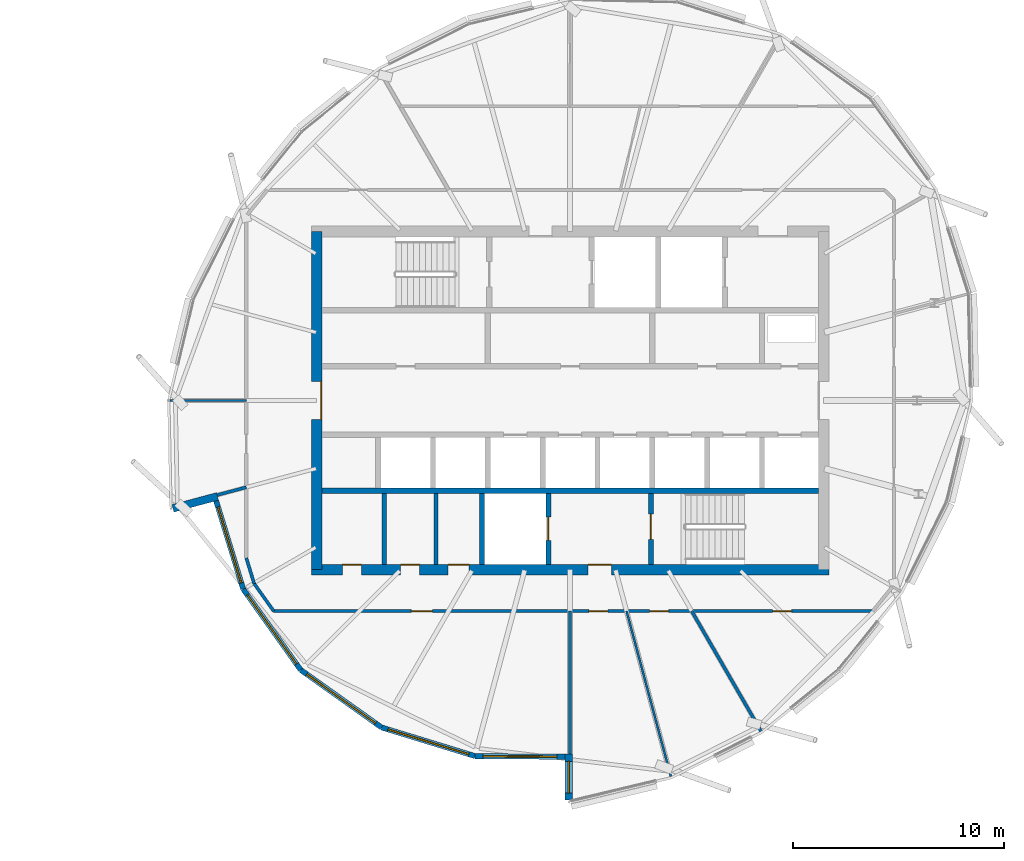
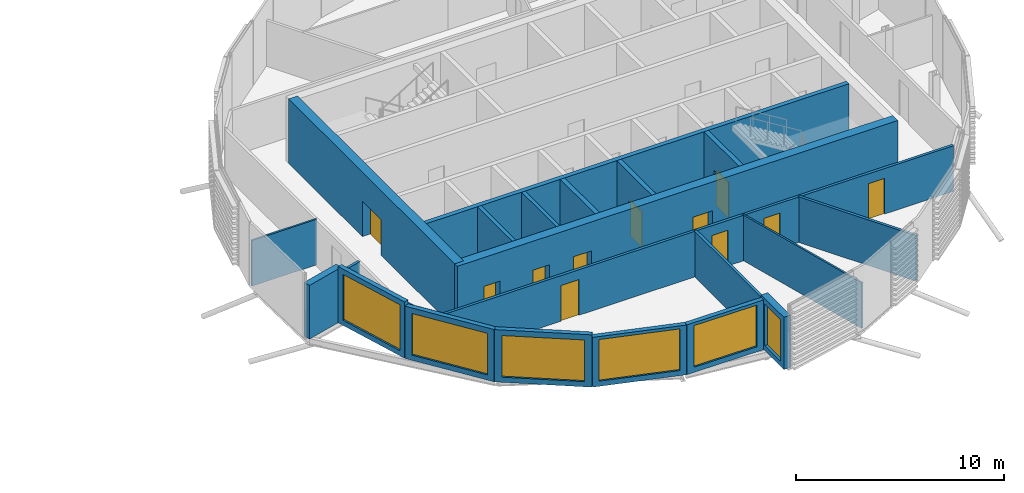
# One storey, part 19 of 34: 23 walls, 11 doors, 6 windows, 17 openings.
"""IFC4 building model written with IfcOpenShell, lengths in metres."""

from ifc_helpers import new_model, si_unit, direction, frame, frame_2d, origin, place, context, subcontext, project, spatial, rectangle, extrude, material, layer, layer_set, type_object, element, fill, save


model = new_model("IFC4")

# Units and contexts
model_context = context("Model", 3, precision=1e-05, world=origin(), true_north=direction((0.0, 1.0)))
body_context = subcontext(model_context, "Body", "Model", "MODEL_VIEW")
ifc_project = project(units=[si_unit("LENGTHUNIT", "METRE"), si_unit("AREAUNIT", "SQUARE_METRE"), si_unit("VOLUMEUNIT", "CUBIC_METRE"), si_unit("PLANEANGLEUNIT", "RADIAN"), si_unit("MASSUNIT", "GRAM", prefix="KILO")], contexts=[model_context])

# Site, building, storey
site_placement = place(None, origin())
site = spatial("IfcSite", under=ifc_project, at=site_placement, CompositionType="ELEMENT")
building_placement = place(site_placement, origin())
building = spatial("IfcBuilding", under=site, at=building_placement, Name="Rimbun Link Towers", CompositionType="ELEMENT")
storey_placement = place(building_placement, frame((0.0, 0.0, 252.300048828125)))
storey = spatial("IfcBuildingStorey", under=building, at=storey_placement, Name="L62", CompositionType="ELEMENT", Elevation=252.300048828125)

# Wall, opening, window
ifc_material_1 = material(Name="Dark enamelled glass spandrel on insulated aluminium backpan", Category="aluminium")
ifc_layer_1 = layer(ifc_material_1, 0.25)
ifc_layer_set_1 = layer_set([ifc_layer_1], Name="CS dark enamelled spandrel wall 250")
wall_type_1 = type_object("IfcWallType", Name="CS dark enamelled spandrel wall 250", PredefinedType="STANDARD", material=ifc_layer_set_1)
wall_1_placement = place(storey_placement, frame((16.2744140625, -8.92529296875, 0.0), z_axis=(0.0, 0.0, 1.0), x_axis=(-0.292962457371, 0.956123945193, 0.0)))
wall_1 = element("IfcWall", 1, at=wall_1_placement, inside=storey, type_object=wall_type_1, Name="Crease spandrel wall", PredefinedType="STANDARD", context=body_context, shape_type="SweptSolid", body=[
    extrude(rectangle(XDim=4.368408203125, YDim=0.25, at=frame_2d((2.18408203125, 0.0))), origin(), (0.0, 0.0, 1.0), 3.306640625),
])
opening_1_placement = place(wall_1_placement, frame((0.309326171875, 0.0, 0.300048828125)))
opening_1 = element("IfcOpeningElement", 2, at=opening_1_placement, cuts=wall_1, Name="Opening WR38H270", PredefinedType="OPENING", context=body_context, shape_type="SweptSolid", body=[
    extrude(rectangle(XDim=3.75, YDim=2.699951171875, at=frame_2d((1.875, 1.35009765625))), frame((0.0, 0.135009765625, 0.0), z_axis=(0.0, -1.0, 0.0), x_axis=(1.0, 0.0, 0.0)), (0.0, 0.0, 1.0), 0.27001953125),
])
ifc_material_2 = material(Name="Aluminium framed fixed window, dark tinted low-e glass", Category="aluminium")
window_type_1 = type_object("IfcWindowType", Name="WR ribbon window 3750X2700", PartitioningType="SINGLE_PANEL", PredefinedType="WINDOW", material=ifc_material_2)
window_1_placement = place(opening_1_placement, origin())
window_1 = element("IfcWindow", 3, at=window_1_placement, inside=storey, type_object=window_type_1, Name="Crease ribbon window", OverallHeight=2.699951171875, OverallWidth=3.75, PartitioningType="SINGLE_PANEL", PredefinedType="WINDOW", context=body_context, shape_type="SweptSolid", body=[
    extrude(rectangle(XDim=3.75, YDim=2.699951171875, at=frame_2d((1.875, 1.35009765625))), frame((0.0, 0.030029296875, 0.0), z_axis=(0.0, -1.0, 0.0), x_axis=(1.0, 0.0, 0.0)), (0.0, 0.0, 1.0), 0.06005859375),
])
fill(opening_1, window_1)

wall_2_placement = place(storey_placement, frame((18.99755859375, -12.75244140625, 0.0), z_axis=(0.0, 0.0, 1.0), x_axis=(-0.579752367254, 0.814792729879, 0.0)))
wall_2 = element("IfcWall", 4, at=wall_2_placement, inside=storey, type_object=wall_type_1, Name="Crease spandrel wall", PredefinedType="STANDARD", context=body_context, shape_type="SweptSolid", body=[
    extrude(rectangle(XDim=4.697021484375, YDim=0.25, at=frame_2d((2.3486328125, 0.0))), origin(), (0.0, 0.0, 1.0), 3.076904296875),
])
opening_2_placement = place(wall_2_placement, frame((0.3486328125, 0.0, 0.300048828125)))
opening_2 = element("IfcOpeningElement", 5, at=opening_2_placement, cuts=wall_2, Name="Opening WR40H245", PredefinedType="OPENING", context=body_context, shape_type="SweptSolid", body=[
    extrude(rectangle(XDim=4.0, YDim=2.449951171875, at=frame_2d((2.0, 1.22509765625))), frame((0.0, 0.135009765625, 0.0), z_axis=(0.0, -1.0, 0.0), x_axis=(1.0, 0.0, 0.0)), (0.0, 0.0, 1.0), 0.27001953125),
])
ifc_material_3 = material(Name="Aluminium framed fixed window, dark tinted low-e glass", Category="aluminium")
window_type_2 = type_object("IfcWindowType", Name="WR ribbon window 4000X2450", PartitioningType="SINGLE_PANEL", PredefinedType="WINDOW", material=ifc_material_3)
window_2_placement = place(opening_2_placement, origin())
window_2 = element("IfcWindow", 6, at=window_2_placement, inside=storey, type_object=window_type_2, Name="Crease ribbon window", OverallHeight=2.449951171875, OverallWidth=4.0, PartitioningType="SINGLE_PANEL", PredefinedType="WINDOW", context=body_context, shape_type="SweptSolid", body=[
    extrude(rectangle(XDim=4.0, YDim=2.449951171875, at=frame_2d((2.0, 1.22509765625))), frame((0.0, 0.030029296875, 0.0), z_axis=(0.0, -1.0, 0.0), x_axis=(1.0, 0.0, 0.0)), (0.0, 0.0, 1.0), 0.06005859375),
])
fill(opening_2, window_2)

wall_3_placement = place(storey_placement, frame((22.82470703125, -15.4755859375, 0.0), z_axis=(0.0, 0.0, 1.0), x_axis=(-0.814792729879, 0.579752367254, 0.0)))
wall_3 = element("IfcWall", 7, at=wall_3_placement, inside=storey, type_object=wall_type_1, Name="Crease spandrel wall", PredefinedType="STANDARD", context=body_context, shape_type="SweptSolid", body=[
    extrude(rectangle(XDim=4.697021484375, YDim=0.25, at=frame_2d((2.3486328125, 0.0))), origin(), (0.0, 0.0, 1.0), 3.076904296875),
])
opening_3_placement = place(wall_3_placement, frame((0.3486328125, 0.0, 0.300048828125)))
opening_3 = element("IfcOpeningElement", 8, at=opening_3_placement, cuts=wall_3, Name="Opening WR40H245", PredefinedType="OPENING", context=body_context, shape_type="SweptSolid", body=[
    extrude(rectangle(XDim=4.0, YDim=2.449951171875, at=frame_2d((2.0, 1.22509765625))), frame((0.0, 0.135009765625, 0.0), z_axis=(0.0, -1.0, 0.0), x_axis=(1.0, 0.0, 0.0)), (0.0, 0.0, 1.0), 0.27001953125),
])
window_3_placement = place(opening_3_placement, origin())
window_3 = element("IfcWindow", 9, at=window_3_placement, inside=storey, type_object=window_type_2, Name="Crease ribbon window", OverallHeight=2.449951171875, OverallWidth=4.0, PartitioningType="SINGLE_PANEL", PredefinedType="WINDOW", context=body_context, shape_type="SweptSolid", body=[
    extrude(rectangle(XDim=4.0, YDim=2.449951171875, at=frame_2d((2.0, 1.22509765625))), frame((0.0, 0.030029296875, 0.0), z_axis=(0.0, -1.0, 0.0), x_axis=(1.0, 0.0, 0.0)), (0.0, 0.0, 1.0), 0.06005859375),
])
fill(opening_3, window_3)

wall_4_placement = place(storey_placement, frame((27.25390625, -16.832763671875, 0.0), z_axis=(0.0, 0.0, 1.0), x_axis=(-0.956121349586, 0.292970928362, 0.0)))
wall_4 = element("IfcWall", 10, at=wall_4_placement, inside=storey, type_object=wall_type_1, Name="Crease spandrel wall", PredefinedType="STANDARD", context=body_context, shape_type="SweptSolid", body=[
    extrude(rectangle(XDim=4.632568359375, YDim=0.25, at=frame_2d((2.31640625, 0.0))), origin(), (0.0, 0.0, 1.0), 2.926513671875),
])
opening_4_placement = place(wall_4_placement, frame((0.316162109375, 0.0, 0.300048828125)))
opening_4 = element("IfcOpeningElement", 11, at=opening_4_placement, cuts=wall_4, Name="Opening WR40H245", PredefinedType="OPENING", context=body_context, shape_type="SweptSolid", body=[
    extrude(rectangle(XDim=4.0, YDim=2.449951171875, at=frame_2d((2.0, 1.22509765625))), frame((0.0, 0.135009765625, 0.0), z_axis=(0.0, -1.0, 0.0), x_axis=(1.0, 0.0, 0.0)), (0.0, 0.0, 1.0), 0.27001953125),
])
window_4_placement = place(opening_4_placement, origin())
window_4 = element("IfcWindow", 12, at=window_4_placement, inside=storey, type_object=window_type_2, Name="Crease ribbon window", OverallHeight=2.449951171875, OverallWidth=4.0, PartitioningType="SINGLE_PANEL", PredefinedType="WINDOW", context=body_context, shape_type="SweptSolid", body=[
    extrude(rectangle(XDim=4.0, YDim=2.449951171875, at=frame_2d((2.0, 1.22509765625))), frame((0.0, 0.030029296875, 0.0), z_axis=(0.0, -1.0, 0.0), x_axis=(1.0, 0.0, 0.0)), (0.0, 0.0, 1.0), 0.06005859375),
])
fill(opening_4, window_4)

wall_5_placement = place(storey_placement, frame((31.5, -16.862548828125, 0.0), z_axis=(0.0, 0.0, 1.0), x_axis=(-0.999975397764, 0.007014546833, 0.0)))
wall_5 = element("IfcWall", 13, at=wall_5_placement, inside=storey, type_object=wall_type_1, Name="Crease spandrel wall", PredefinedType="STANDARD", context=body_context, shape_type="SweptSolid", body=[
    extrude(rectangle(XDim=4.24609375, YDim=0.25, at=frame_2d((2.123046875, 0.0))), origin(), (0.0, 0.0, 1.0), 2.926513671875),
])
opening_5_placement = place(wall_5_placement, frame((0.373046875, 0.0, 0.300048828125)))
opening_5 = element("IfcOpeningElement", 14, at=opening_5_placement, cuts=wall_5, Name="Opening WR35H245", PredefinedType="OPENING", context=body_context, shape_type="SweptSolid", body=[
    extrude(rectangle(XDim=3.5, YDim=2.449951171875, at=frame_2d((1.75, 1.22509765625))), frame((0.0, 0.135009765625, 0.0), z_axis=(0.0, -1.0, 0.0), x_axis=(1.0, 0.0, 0.0)), (0.0, 0.0, 1.0), 0.27001953125),
])
ifc_material_4 = material(Name="Aluminium framed fixed window, dark tinted low-e glass", Category="aluminium")
window_type_3 = type_object("IfcWindowType", Name="WR ribbon window 3500X2450", PartitioningType="SINGLE_PANEL", PredefinedType="WINDOW", material=ifc_material_4)
window_5_placement = place(opening_5_placement, origin())
window_5 = element("IfcWindow", 15, at=window_5_placement, inside=storey, type_object=window_type_3, Name="Crease ribbon window", OverallHeight=2.449951171875, OverallWidth=3.5, PartitioningType="SINGLE_PANEL", PredefinedType="WINDOW", context=body_context, shape_type="SweptSolid", body=[
    extrude(rectangle(XDim=3.5, YDim=2.449951171875, at=frame_2d((1.75, 1.22509765625))), frame((0.0, 0.030029296875, 0.0), z_axis=(0.0, -1.0, 0.0), x_axis=(1.0, 0.0, 0.0)), (0.0, 0.0, 1.0), 0.06005859375),
])
fill(opening_5, window_5)

# Wall
ifc_material_5 = material(Name="Dark enamelled glass spandrel on insulated aluminium backpan", Category="aluminium")
ifc_layer_2 = layer(ifc_material_5, 0.3701171875)
ifc_layer_set_2 = layer_set([ifc_layer_2], Name="CS dark enamelled spandrel wall 370")
wall_type_2 = type_object("IfcWallType", Name="CS dark enamelled spandrel wall 370", PredefinedType="STANDARD", material=ifc_layer_set_2)
wall_6_placement = place(storey_placement, frame((15.058837890625, -4.539794921875, 0.0), z_axis=(0.0, 0.0, 1.0), x_axis=(-0.96592755611, -0.258812589237, 0.0)))
element("IfcWall", 16, at=wall_6_placement, inside=storey, type_object=wall_type_2, Name="Crease spandrel wall", PredefinedType="STANDARD", context=body_context, shape_type="SweptSolid", body=[
    extrude(rectangle(XDim=2.179931640625, YDim=0.3701171875, at=frame_2d((1.08984375, 0.0))), origin(), (0.0, 0.0, 1.0), 3.156494140625),
])

# Wall, opening, window
wall_7_placement = place(storey_placement, frame((31.68505859375, -18.919189453125, 0.0), z_axis=(0.0, 0.0, 1.0), x_axis=(0.0, 1.0, 0.0)))
wall_7 = element("IfcWall", 17, at=wall_7_placement, inside=storey, type_object=wall_type_2, Name="Crease spandrel wall", PredefinedType="STANDARD", context=body_context, shape_type="SweptSolid", body=[
    extrude(rectangle(XDim=2.179931640625, YDim=0.3701171875, at=frame_2d((1.08984375, 0.0))), origin(), (0.0, 0.0, 1.0), 3.076904296875),
])
opening_6_placement = place(wall_7_placement, frame((0.340087890625, 0.0, 0.300048828125)))
opening_6 = element("IfcOpeningElement", 18, at=opening_6_placement, cuts=wall_7, Name="Opening WR15H245", PredefinedType="OPENING", context=body_context, shape_type="SweptSolid", body=[
    extrude(rectangle(XDim=1.5, YDim=2.449951171875, at=frame_2d((0.75, 1.22509765625))), frame((0.0, 0.195068359375, 0.0), z_axis=(0.0, -1.0, 0.0), x_axis=(1.0, 0.0, 0.0)), (0.0, 0.0, 1.0), 0.39013671875),
])
ifc_material_6 = material(Name="Aluminium framed fixed window, dark tinted low-e glass", Category="aluminium")
window_type_4 = type_object("IfcWindowType", Name="WR ribbon window 1500X2450", PartitioningType="SINGLE_PANEL", PredefinedType="WINDOW", material=ifc_material_6)
window_6_placement = place(opening_6_placement, origin())
window_6 = element("IfcWindow", 19, at=window_6_placement, inside=storey, type_object=window_type_4, Name="Crease ribbon window", OverallHeight=2.449951171875, OverallWidth=1.5, PartitioningType="SINGLE_PANEL", PredefinedType="WINDOW", context=body_context, shape_type="SweptSolid", body=[
    extrude(rectangle(XDim=1.5, YDim=2.449951171875, at=frame_2d((0.75, 1.22509765625))), frame((0.0, 0.030029296875, 0.0), z_axis=(0.0, -1.0, 0.0), x_axis=(1.0, 0.0, 0.0)), (0.0, 0.0, 1.0), 0.06005859375),
])
fill(opening_6, window_6)

# Walls
ifc_material_7 = material(Name="Masonry blockwork", Category="masonry")
ifc_layer_3 = layer(ifc_material_7, 0.199951171875)
ifc_layer_set_3 = layer_set([ifc_layer_3], Name="Core partition 200")
wall_type_3 = type_object("IfcWallType", Name="Core partition 200", PredefinedType="PARTITIONING", material=ifc_layer_set_3)
for number, where, z_axis, x_axis, name in (
    (20, (22.949951171875, -4.39990234375, 0.0), (0.0, 0.0, 1.0), (0.0, -1.0, 0.0), "L62 T2 core wall C1"),
    (21, (25.39990234375, -4.39990234375, 0.0), (0.0, 0.0, 1.0), (0.0, -1.0, 0.0), "L62 T2 core wall C2"),
):
    element("IfcWall", number, at=place(storey_placement, frame(where, z_axis=z_axis, x_axis=x_axis)), inside=storey, type_object=wall_type_3, Name=name, PredefinedType="PARTITIONING", context=body_context, shape_type="SweptSolid", body=[
        extrude(rectangle(XDim=3.35009765625, YDim=0.199951171875, at=frame_2d((1.675048828125, 0.0))), origin(), (0.0, 0.0, 1.0), 3.800048828125),
    ])

# Wall, openings, doors
ifc_material_8 = material(Name="Concrete C60/75", Category="concrete")
ifc_layer_4 = layer(ifc_material_8, 0.5)
ifc_layer_set_4 = layer_set([ifc_layer_4], Name="Core shear wall 500")
wall_type_4 = type_object("IfcWallType", Name="Core shear wall 500", PredefinedType="SHEAR", material=ifc_layer_set_4)
wall_8_placement = place(storey_placement, frame((19.5, -8.0, 0.0), z_axis=(0.0, 0.0, 1.0), x_axis=(1.0, 0.0, 0.0)))
wall_8 = element("IfcWall", 22, at=wall_8_placement, inside=storey, type_object=wall_type_4, Name="L62 T2 core wall S", PredefinedType="SHEAR", context=body_context, shape_type="SweptSolid", body=[
    extrude(rectangle(XDim=24.5, YDim=0.5, at=frame_2d((12.25, 0.0))), origin(), (0.0, 0.0, 1.0), 3.800048828125),
])
opening_7_placement = place(wall_8_placement, frame((13.10009765625, 0.0, 0.0)))
opening_7 = element("IfcOpeningElement", 23, at=opening_7_placement, cuts=wall_8, Name="Opening C2DCF01S", PredefinedType="OPENING", context=body_context, shape_type="SweptSolid", body=[
    extrude(rectangle(XDim=1.10009765625, YDim=2.10009765625, at=frame_2d((0.550048828125, 1.050048828125))), frame((0.0, 0.260009765625, 0.0), z_axis=(0.0, -1.0, 0.0), x_axis=(1.0, 0.0, 0.0)), (0.0, 0.0, 1.0), 0.52001953125),
])
opening_8_placement = place(wall_8_placement, frame((1.47509765625, 0.0, 0.0)))
opening_8 = element("IfcOpeningElement", 24, at=opening_8_placement, cuts=wall_8, Name="Opening C2DWC02S", PredefinedType="OPENING", context=body_context, shape_type="SweptSolid", body=[
    extrude(rectangle(XDim=0.89990234375, YDim=2.10009765625, at=frame_2d((0.449951171875, 1.050048828125))), frame((0.0, 0.260009765625, 0.0), z_axis=(0.0, -1.0, 0.0), x_axis=(1.0, 0.0, 0.0)), (0.0, 0.0, 1.0), 0.52001953125),
])
opening_9_placement = place(wall_8_placement, frame((4.22509765625, 0.0, 0.0)))
opening_9 = element("IfcOpeningElement", 25, at=opening_9_placement, cuts=wall_8, Name="Opening C2DWC03S", PredefinedType="OPENING", context=body_context, shape_type="SweptSolid", body=[
    extrude(rectangle(XDim=0.89990234375, YDim=2.10009765625, at=frame_2d((0.449951171875, 1.050048828125))), frame((0.0, 0.260009765625, 0.0), z_axis=(0.0, -1.0, 0.0), x_axis=(1.0, 0.0, 0.0)), (0.0, 0.0, 1.0), 0.52001953125),
])
opening_10_placement = place(wall_8_placement, frame((6.47509765625, 0.0, 0.0)))
opening_10 = element("IfcOpeningElement", 26, at=opening_10_placement, cuts=wall_8, Name="Opening C2DAW04S", PredefinedType="OPENING", context=body_context, shape_type="SweptSolid", body=[
    extrude(rectangle(XDim=1.0, YDim=2.10009765625, at=frame_2d((0.5, 1.050048828125))), frame((0.0, 0.260009765625, 0.0), z_axis=(0.0, -1.0, 0.0), x_axis=(1.0, 0.0, 0.0)), (0.0, 0.0, 1.0), 0.52001953125),
])
ifc_material_9 = material(Name="Timber", Category="wood")
door_type_1 = type_object("IfcDoorType", Name="Accessible WC door", OperationType="SINGLE_SWING_LEFT", PredefinedType="DOOR", material=ifc_material_9)
door_1_placement = place(opening_10_placement, origin())
door_1 = element("IfcDoor", 27, at=door_1_placement, inside=storey, type_object=door_type_1, Name="L62 T2 accessible wc door", OperationType="SINGLE_SWING_RIGHT", OverallHeight=2.10009765625, OverallWidth=1.0, PredefinedType="DOOR", context=body_context, shape_type="SweptSolid", body=[
    extrude(rectangle(XDim=1.0, YDim=2.10009765625, at=frame_2d((0.5, 1.050048828125))), frame((0.0, 0.25, 0.0), z_axis=(0.0, -1.0, 0.0), x_axis=(1.0, 0.0, 0.0)), (0.0, 0.0, 1.0), 0.050048828125),
])
fill(opening_10, door_1)
ifc_material_10 = material(Name="Steel fire door set", Category="steel")
door_type_2 = type_object("IfcDoorType", Name="Core fire door single", OperationType="SINGLE_SWING_LEFT", PredefinedType="DOOR", material=ifc_material_10)
door_2_placement = place(opening_7_placement, origin())
door_2 = element("IfcDoor", 28, at=door_2_placement, inside=storey, type_object=door_type_2, Name="L62 T2 firefighting lobby s door", OperationType="SINGLE_SWING_RIGHT", OverallHeight=2.10009765625, OverallWidth=1.10009765625, PredefinedType="DOOR", context=body_context, shape_type="SweptSolid", body=[
    extrude(rectangle(XDim=1.10009765625, YDim=2.10009765625, at=frame_2d((0.550048828125, 1.050048828125))), frame((0.0, 0.25, 0.0), z_axis=(0.0, -1.0, 0.0), x_axis=(1.0, 0.0, 0.0)), (0.0, 0.0, 1.0), 0.050048828125),
])
fill(opening_7, door_2)
ifc_material_11 = material(Name="Timber", Category="wood")
door_type_3 = type_object("IfcDoorType", Name="WC door", OperationType="SINGLE_SWING_LEFT", PredefinedType="DOOR", material=ifc_material_11)
door_3_placement = place(opening_8_placement, origin())
door_3 = element("IfcDoor", 29, at=door_3_placement, inside=storey, type_object=door_type_3, Name="L62 T2 male wc door", OperationType="SINGLE_SWING_RIGHT", OverallHeight=2.10009765625, OverallWidth=0.89990234375, PredefinedType="DOOR", context=body_context, shape_type="SweptSolid", body=[
    extrude(rectangle(XDim=0.89990234375, YDim=2.10009765625, at=frame_2d((0.449951171875, 1.050048828125))), frame((0.0, 0.25, 0.0), z_axis=(0.0, -1.0, 0.0), x_axis=(1.0, 0.0, 0.0)), (0.0, 0.0, 1.0), 0.050048828125),
])
fill(opening_8, door_3)
door_4_placement = place(opening_9_placement, origin())
door_4 = element("IfcDoor", 30, at=door_4_placement, inside=storey, type_object=door_type_3, Name="L62 T2 female wc door", OperationType="SINGLE_SWING_LEFT", OverallHeight=2.10009765625, OverallWidth=0.89990234375, PredefinedType="DOOR", context=body_context, shape_type="SweptSolid", body=[
    extrude(rectangle(XDim=0.89990234375, YDim=2.10009765625, at=frame_2d((0.449951171875, 1.050048828125))), frame((0.0, 0.25, 0.0), z_axis=(0.0, -1.0, 0.0), x_axis=(1.0, 0.0, 0.0)), (0.0, 0.0, 1.0), 0.050048828125),
])
fill(opening_9, door_4)

# Wall, opening, door
wall_9_placement = place(storey_placement, frame((19.75, -8.0, 0.0), z_axis=(0.0, 0.0, 1.0), x_axis=(0.0, 1.0, 0.0)))
wall_9 = element("IfcWall", 31, at=wall_9_placement, inside=storey, type_object=wall_type_4, Name="L62 T2 core wall W", PredefinedType="SHEAR", context=body_context, shape_type="SweptSolid", body=[
    extrude(rectangle(XDim=16.0, YDim=0.5, at=frame_2d((8.0, 0.0))), origin(), (0.0, 0.0, 1.0), 3.800048828125),
])
opening_11_placement = place(wall_9_placement, frame((7.10009765625, 0.0, 0.0)))
opening_11 = element("IfcOpeningElement", 32, at=opening_11_placement, cuts=wall_9, Name="Opening C2DCL01W", PredefinedType="OPENING", context=body_context, shape_type="SweptSolid", body=[
    extrude(rectangle(XDim=1.800048828125, YDim=2.10009765625, at=frame_2d((0.89990234375, 1.050048828125))), frame((0.0, 0.260009765625, 0.0), z_axis=(0.0, -1.0, 0.0), x_axis=(1.0, 0.0, 0.0)), (0.0, 0.0, 1.0), 0.52001953125),
])
ifc_material_12 = material(Name="Steel fire door set", Category="steel")
door_type_4 = type_object("IfcDoorType", Name="Core lobby door double", OperationType="DOUBLE_DOOR_SINGLE_SWING", PredefinedType="DOOR", material=ifc_material_12)
door_5_placement = place(opening_11_placement, origin())
door_5 = element("IfcDoor", 33, at=door_5_placement, inside=storey, type_object=door_type_4, Name="L62 T2 lift lobby door", OperationType="DOUBLE_DOOR_SINGLE_SWING", OverallHeight=2.10009765625, OverallWidth=1.800048828125, PredefinedType="DOOR", context=body_context, shape_type="SweptSolid", body=[
    extrude(rectangle(XDim=1.800048828125, YDim=2.10009765625, at=frame_2d((0.89990234375, 1.050048828125))), frame((0.0, -0.2001953125, 0.0), z_axis=(0.0, -1.0, 0.0), x_axis=(1.0, 0.0, 0.0)), (0.0, 0.0, 1.0), 0.050048828125),
])
fill(opening_11, door_5)

# Wall, openings, doors
ifc_material_13 = material(Name="Plasterboard on steel stud, mineral wool", Category="steel")
ifc_layer_5 = layer(ifc_material_13, 0.14990234375)
ifc_layer_set_5 = layer_set([ifc_layer_5], Name="Corridor wall EI 30 150 mm")
wall_type_5 = type_object("IfcWallType", Name="Corridor wall EI 30 150 mm", PredefinedType="PARTITIONING", material=ifc_layer_set_5)
wall_10_placement = place(storey_placement, frame((46.07568359375, -9.965087890625, 0.0), z_axis=(0.0, 0.0, 1.0), x_axis=(-1.0, 0.0, 0.0)))
wall_10 = element("IfcWall", 34, at=wall_10_placement, inside=storey, type_object=wall_type_5, Name="Corridor wall EI 30 150 mm", PredefinedType="PARTITIONING", context=body_context, shape_type="SweptSolid", body=[
    extrude(rectangle(XDim=28.355712890625, YDim=0.14990234375, at=frame_2d((14.177734375, 0.0))), origin(), (0.0, 0.0, 1.0), 2.681884765625),
])
opening_12_placement = place(wall_10_placement, frame((12.54052734375, 0.0, 0.0)))
opening_12 = element("IfcOpeningElement", 35, at=opening_12_placement, cuts=wall_10, Name="Opening D02", PredefinedType="OPENING", context=body_context, shape_type="SweptSolid", body=[
    extrude(rectangle(XDim=0.89990234375, YDim=2.10009765625, at=frame_2d((0.449951171875, 1.050048828125))), frame((0.0, 0.0849609375, 0.0), z_axis=(0.0, -1.0, 0.0), x_axis=(1.0, 0.0, 0.0)), (0.0, 0.0, 1.0), 0.169921875),
])
opening_13_placement = place(wall_10_placement, frame((9.663818359375, 0.0, 0.0)))
opening_13 = element("IfcOpeningElement", 36, at=opening_13_placement, cuts=wall_10, Name="Opening D02", PredefinedType="OPENING", context=body_context, shape_type="SweptSolid", body=[
    extrude(rectangle(XDim=0.89990234375, YDim=2.10009765625, at=frame_2d((0.449951171875, 1.050048828125))), frame((0.0, 0.0849609375, 0.0), z_axis=(0.0, -1.0, 0.0), x_axis=(1.0, 0.0, 0.0)), (0.0, 0.0, 1.0), 0.169921875),
])
opening_14_placement = place(wall_10_placement, frame((3.836181640625, 0.0, 0.0)))
opening_14 = element("IfcOpeningElement", 37, at=opening_14_placement, cuts=wall_10, Name="Opening D02", PredefinedType="OPENING", context=body_context, shape_type="SweptSolid", body=[
    extrude(rectangle(XDim=0.89990234375, YDim=2.10009765625, at=frame_2d((0.449951171875, 1.050048828125))), frame((0.0, 0.0849609375, 0.0), z_axis=(0.0, -1.0, 0.0), x_axis=(1.0, 0.0, 0.0)), (0.0, 0.0, 1.0), 0.169921875),
])
opening_15_placement = place(wall_10_placement, frame((20.840576171875, 0.0, 0.0)))
opening_15 = element("IfcOpeningElement", 38, at=opening_15_placement, cuts=wall_10, Name="Opening D01", PredefinedType="OPENING", context=body_context, shape_type="SweptSolid", body=[
    extrude(rectangle(XDim=1.0, YDim=2.10009765625, at=frame_2d((0.5, 1.050048828125))), frame((0.0, 0.0849609375, 0.0), z_axis=(0.0, -1.0, 0.0), x_axis=(1.0, 0.0, 0.0)), (0.0, 0.0, 1.0), 0.169921875),
])
ifc_material_14 = material(Name="Fire-resisting timber door leaf", Category="wood")
door_type_5 = type_object("IfcDoorType", Name="Fire door FD30S 1000", OperationType="NOTDEFINED", PredefinedType="DOOR", material=ifc_material_14)
door_6_placement = place(opening_15_placement, origin())
door_6 = element("IfcDoor", 39, at=door_6_placement, inside=storey, type_object=door_type_5, Name="Fire door FD30S 1000 to Terrace office", OperationType="SINGLE_SWING_RIGHT", OverallHeight=2.10009765625, OverallWidth=1.0, PredefinedType="DOOR", context=body_context, shape_type="SweptSolid", body=[
    extrude(rectangle(XDim=1.0, YDim=2.10009765625, at=frame_2d((0.5, 1.050048828125))), frame((0.0, 0.02490234375, 0.0), z_axis=(0.0, -1.0, 0.0), x_axis=(1.0, 0.0, 0.0)), (0.0, 0.0, 1.0), 0.050048828125),
])
fill(opening_15, door_6)
ifc_material_15 = material(Name="Fire-resisting timber door leaf", Category="wood")
door_type_6 = type_object("IfcDoorType", Name="Fire door FD30S 900", OperationType="NOTDEFINED", PredefinedType="DOOR", material=ifc_material_15)
door_7_placement = place(opening_12_placement, origin())
door_7 = element("IfcDoor", 40, at=door_7_placement, inside=storey, type_object=door_type_6, Name="Fire door FD30S 900 to Meeting room", OperationType="SINGLE_SWING_LEFT", OverallHeight=2.10009765625, OverallWidth=0.89990234375, PredefinedType="DOOR", context=body_context, shape_type="SweptSolid", body=[
    extrude(rectangle(XDim=0.89990234375, YDim=2.10009765625, at=frame_2d((0.449951171875, 1.050048828125))), frame((0.0, 0.02490234375, 0.0), z_axis=(0.0, -1.0, 0.0), x_axis=(1.0, 0.0, 0.0)), (0.0, 0.0, 1.0), 0.050048828125),
])
fill(opening_12, door_7)
door_8_placement = place(opening_13_placement, origin())
door_8 = element("IfcDoor", 41, at=door_8_placement, inside=storey, type_object=door_type_6, Name="Fire door FD30S 900 to Meeting room", OperationType="SINGLE_SWING_RIGHT", OverallHeight=2.10009765625, OverallWidth=0.89990234375, PredefinedType="DOOR", context=body_context, shape_type="SweptSolid", body=[
    extrude(rectangle(XDim=0.89990234375, YDim=2.10009765625, at=frame_2d((0.449951171875, 1.050048828125))), frame((0.0, 0.02490234375, 0.0), z_axis=(0.0, -1.0, 0.0), x_axis=(1.0, 0.0, 0.0)), (0.0, 0.0, 1.0), 0.050048828125),
])
fill(opening_13, door_8)
door_9_placement = place(opening_14_placement, origin())
door_9 = element("IfcDoor", 42, at=door_9_placement, inside=storey, type_object=door_type_6, Name="Fire door FD30S 900 to Meeting room", OperationType="SINGLE_SWING_LEFT", OverallHeight=2.10009765625, OverallWidth=0.89990234375, PredefinedType="DOOR", context=body_context, shape_type="SweptSolid", body=[
    extrude(rectangle(XDim=0.89990234375, YDim=2.10009765625, at=frame_2d((0.449951171875, 1.050048828125))), frame((0.0, 0.02490234375, 0.0), z_axis=(0.0, -1.0, 0.0), x_axis=(1.0, 0.0, 0.0)), (0.0, 0.0, 1.0), 0.050048828125),
])
fill(opening_14, door_9)

# Walls
wall_11_placement = place(storey_placement, frame((16.796875, -8.667724609375, 0.0), z_axis=(0.0, 0.0, 1.0), x_axis=(0.579743276124, -0.814799198446, 0.0)))
element("IfcWall", 43, at=wall_11_placement, inside=storey, type_object=wall_type_5, Name="Corridor wall EI 30 150 mm", PredefinedType="PARTITIONING", context=body_context, shape_type="SweptSolid", body=[
    extrude(rectangle(XDim=1.59228515625, YDim=0.14990234375, at=frame_2d((0.796142578125, 0.0))), origin(), (0.0, 0.0, 1.0), 2.681884765625),
])
wall_12_placement = place(storey_placement, frame((16.425048828125, -7.4541015625, 0.0), z_axis=(0.0, 0.0, 1.0), x_axis=(0.292936783144, -0.956131811562, 0.0)))
element("IfcWall", 44, at=wall_12_placement, inside=storey, type_object=wall_type_5, Name="Corridor wall EI 30 150 mm", PredefinedType="PARTITIONING", context=body_context, shape_type="SweptSolid", body=[
    extrude(rectangle(XDim=1.269287109375, YDim=0.14990234375, at=frame_2d((0.634765625, 0.0))), origin(), (0.0, 0.0, 1.0), 2.681884765625),
])
ifc_material_16 = material(Name="Plasterboard on steel stud", Category="steel")
ifc_layer_6 = layer(ifc_material_16, 0.10009765625)
ifc_layer_set_6 = layer_set([ifc_layer_6], Name="Plasterboard partition 100 mm")
wall_type_6 = type_object("IfcWallType", Name="Plasterboard partition 100 mm", PredefinedType="PARTITIONING", material=ifc_layer_set_6)
wall_13_placement = place(storey_placement, frame((36.51904296875, -17.798583984375, 0.0), z_axis=(0.0, 0.0, 1.0), x_axis=(-0.258807310343, 0.965928970532, 0.0)))
element("IfcWall", 45, at=wall_13_placement, inside=storey, type_object=wall_type_6, Name="Plasterboard partition 100 mm", PredefinedType="PARTITIONING", context=body_context, shape_type="SweptSolid", body=[
    extrude(rectangle(XDim=8.10986328125, YDim=0.10009765625, at=frame_2d((4.054931640625, 0.0))), origin(), (0.0, 0.0, 1.0), 2.681884765625),
])
wall_14_placement = place(storey_placement, frame((12.810791015625, 0.0, 0.0), z_axis=(0.0, 0.0, 1.0), x_axis=(1.0, 0.0, 0.0)))
element("IfcWall", 46, at=wall_14_placement, inside=storey, type_object=wall_type_6, Name="Plasterboard partition 100 mm", PredefinedType="PARTITIONING", context=body_context, shape_type="SweptSolid", body=[
    extrude(rectangle(XDim=3.6142578125, YDim=0.10009765625, at=frame_2d((1.80712890625, 0.0))), origin(), (0.0, 0.0, 1.0), 2.681884765625),
])
ifc_material_17 = material(Name="Concrete C60/75", Category="concrete")
ifc_layer_7 = layer(ifc_material_17, 0.25)
ifc_layer_set_7 = layer_set([ifc_layer_7], Name="Shaft wall 250")
wall_type_7 = type_object("IfcWallType", Name="Shaft wall 250", PredefinedType="SHEAR", material=ifc_layer_set_7)
wall_15_placement = place(storey_placement, frame((20.0, -4.27490234375, 0.0), z_axis=(0.0, 0.0, 1.0), x_axis=(1.0, 0.0, 0.0)))
element("IfcWall", 47, at=wall_15_placement, inside=storey, type_object=wall_type_7, Name="L62 T2 core wall BS", PredefinedType="SHEAR", context=body_context, shape_type="SweptSolid", body=[
    extrude(rectangle(XDim=23.5, YDim=0.25, at=frame_2d((11.75, 0.0))), origin(), (0.0, 0.0, 1.0), 3.800048828125),
])

# Wall, opening, door
wall_16_placement = place(storey_placement, frame((35.574951171875, -4.39990234375, 0.0), z_axis=(0.0, 0.0, 1.0), x_axis=(0.0, -1.0, 0.0)))
wall_16 = element("IfcWall", 48, at=wall_16_placement, inside=storey, type_object=wall_type_7, Name="L62 T2 core wall B1", PredefinedType="SHEAR", context=body_context, shape_type="SweptSolid", body=[
    extrude(rectangle(XDim=3.35009765625, YDim=0.25, at=frame_2d((1.675048828125, 0.0))), origin(), (0.0, 0.0, 1.0), 3.800048828125),
])
opening_16_placement = place(wall_16_placement, frame((0.97509765625, 0.0, 0.0)))
opening_16 = element("IfcOpeningElement", 49, at=opening_16_placement, cuts=wall_16, Name="Opening C2DST01B1", PredefinedType="OPENING", context=body_context, shape_type="SweptSolid", body=[
    extrude(rectangle(XDim=1.199951171875, YDim=2.10009765625, at=frame_2d((0.60009765625, 1.050048828125))), frame((0.0, 0.135009765625, 0.0), z_axis=(0.0, -1.0, 0.0), x_axis=(1.0, 0.0, 0.0)), (0.0, 0.0, 1.0), 0.27001953125),
])
ifc_material_18 = material(Name="Steel fire door set", Category="steel")
door_type_7 = type_object("IfcDoorType", Name="Stair door", OperationType="SINGLE_SWING_LEFT", PredefinedType="DOOR", material=ifc_material_18)
door_10_placement = place(opening_16_placement, origin())
door_10 = element("IfcDoor", 50, at=door_10_placement, inside=storey, type_object=door_type_7, Name="L62 T2 stair b door", OperationType="SINGLE_SWING_RIGHT", OverallHeight=2.10009765625, OverallWidth=1.199951171875, PredefinedType="DOOR", context=body_context, shape_type="SweptSolid", body=[
    extrude(rectangle(XDim=1.199951171875, YDim=2.10009765625, at=frame_2d((0.60009765625, 1.050048828125))), frame((0.0, 0.02490234375, 0.0), z_axis=(0.0, -1.0, 0.0), x_axis=(1.0, 0.0, 0.0)), (0.0, 0.0, 1.0), 0.050048828125),
])
fill(opening_16, door_10)

wall_17_placement = place(storey_placement, frame((30.72509765625, -4.39990234375, 0.0), z_axis=(0.0, 0.0, 1.0), x_axis=(0.0, -1.0, 0.0)))
wall_17 = element("IfcWall", 51, at=wall_17_placement, inside=storey, type_object=wall_type_7, Name="L62 T2 core wall B2", PredefinedType="SHEAR", context=body_context, shape_type="SweptSolid", body=[
    extrude(rectangle(XDim=3.35009765625, YDim=0.25, at=frame_2d((1.675048828125, 0.0))), origin(), (0.0, 0.0, 1.0), 3.800048828125),
])
opening_17_placement = place(wall_17_placement, frame((1.125, 0.0, 0.0)))
opening_17 = element("IfcOpeningElement", 52, at=opening_17_placement, cuts=wall_17, Name="Opening LD-T2-FF2", PredefinedType="OPENING", context=body_context, shape_type="SweptSolid", body=[
    extrude(rectangle(XDim=1.10009765625, YDim=2.10009765625, at=frame_2d((0.550048828125, 1.050048828125))), frame((0.0, 0.135009765625, 0.0), z_axis=(0.0, -1.0, 0.0), x_axis=(1.0, 0.0, 0.0)), (0.0, 0.0, 1.0), 0.27001953125),
])
ifc_material_19 = material(Name="Stainless steel grade 316", Category="steel")
door_type_8 = type_object("IfcDoorType", Name="Lift landing door", OperationType="DOUBLE_DOOR_SLIDING", PredefinedType="DOOR", material=ifc_material_19)
door_11_placement = place(opening_17_placement, origin())
door_11 = element("IfcDoor", 53, at=door_11_placement, inside=storey, type_object=door_type_8, Name="L62 T2 lift FF2 landing door", OperationType="DOUBLE_DOOR_SLIDING", OverallHeight=2.10009765625, OverallWidth=1.10009765625, PredefinedType="DOOR", context=body_context, shape_type="SweptSolid", body=[
    extrude(rectangle(XDim=1.10009765625, YDim=2.10009765625, at=frame_2d((0.550048828125, 1.050048828125))), frame((0.0, 0.02490234375, 0.0), z_axis=(0.0, -1.0, 0.0), x_axis=(1.0, 0.0, 0.0)), (0.0, 0.0, 1.0), 0.050048828125),
])
fill(opening_17, door_11)

# Walls
wall_18_placement = place(storey_placement, frame((27.574951171875, -4.39990234375, 0.0), z_axis=(0.0, 0.0, 1.0), x_axis=(0.0, -1.0, 0.0)))
element("IfcWall", 54, at=wall_18_placement, inside=storey, type_object=wall_type_7, Name="L62 T2 core wall B3", PredefinedType="SHEAR", context=body_context, shape_type="SweptSolid", body=[
    extrude(rectangle(XDim=3.35009765625, YDim=0.25, at=frame_2d((1.675048828125, 0.0))), origin(), (0.0, 0.0, 1.0), 3.800048828125),
])
ifc_material_20 = material(Name="Plasterboard on steel stud, mineral wool", Category="steel")
ifc_layer_8 = layer(ifc_material_20, 0.14990234375)
ifc_layer_set_8 = layer_set([ifc_layer_8], Name="Tenancy separation wall EI 60 150 mm")
wall_type_8 = type_object("IfcWallType", Name="Tenancy separation wall EI 60 150 mm", PredefinedType="PARTITIONING", material=ifc_layer_set_8)
wall_19_placement = place(storey_placement, frame((16.425048828125, -4.1064453125, 0.0), z_axis=(0.0, 0.0, 1.0), x_axis=(-0.965965552286, -0.258670740127, 0.0)))
element("IfcWall", 55, at=wall_19_placement, inside=storey, type_object=wall_type_8, Name="Tenancy separation wall EI 60 150 mm", PredefinedType="PARTITIONING", context=body_context, shape_type="SweptSolid", body=[
    extrude(rectangle(XDim=1.431884765625, YDim=0.14990234375, at=frame_2d((0.7158203125, 0.0))), origin(), (0.0, 0.0, 1.0), 2.681884765625),
])
wall_20_placement = place(storey_placement, frame((31.75, -9.965087890625, 0.0), z_axis=(0.0, 0.0, 1.0), x_axis=(0.0, -1.0, 0.0)))
element("IfcWall", 56, at=wall_20_placement, inside=storey, type_object=wall_type_8, Name="Tenancy separation wall EI 60 150 mm", PredefinedType="PARTITIONING", context=body_context, shape_type="SweptSolid", body=[
    extrude(rectangle(XDim=6.774169921875, YDim=0.14990234375, at=frame_2d((3.38720703125, 0.0))), origin(), (0.0, 0.0, 1.0), 2.681884765625),
])
wall_21_placement = place(storey_placement, frame((37.50341796875, -9.965087890625, 0.0), z_axis=(0.0, 0.0, 1.0), x_axis=(0.499995874514, -0.866027785622, 0.0)))
element("IfcWall", 57, at=wall_21_placement, inside=storey, type_object=wall_type_8, Name="Tenancy separation wall EI 60 150 mm", PredefinedType="PARTITIONING", context=body_context, shape_type="SweptSolid", body=[
    extrude(rectangle(XDim=6.56982421875, YDim=0.14990234375, at=frame_2d((3.284912109375, 0.0))), origin(), (0.0, 0.0, 1.0), 2.681884765625),
])

save(model, "model.ifc")
